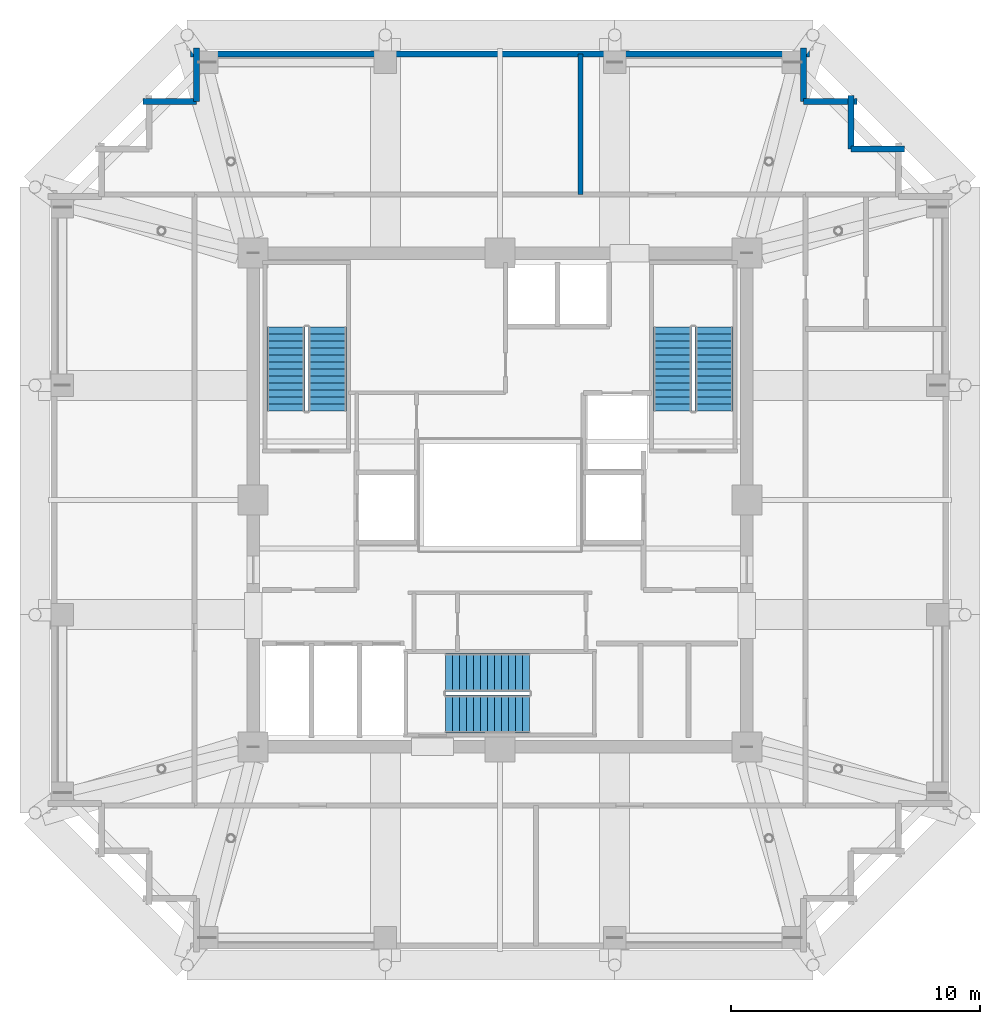
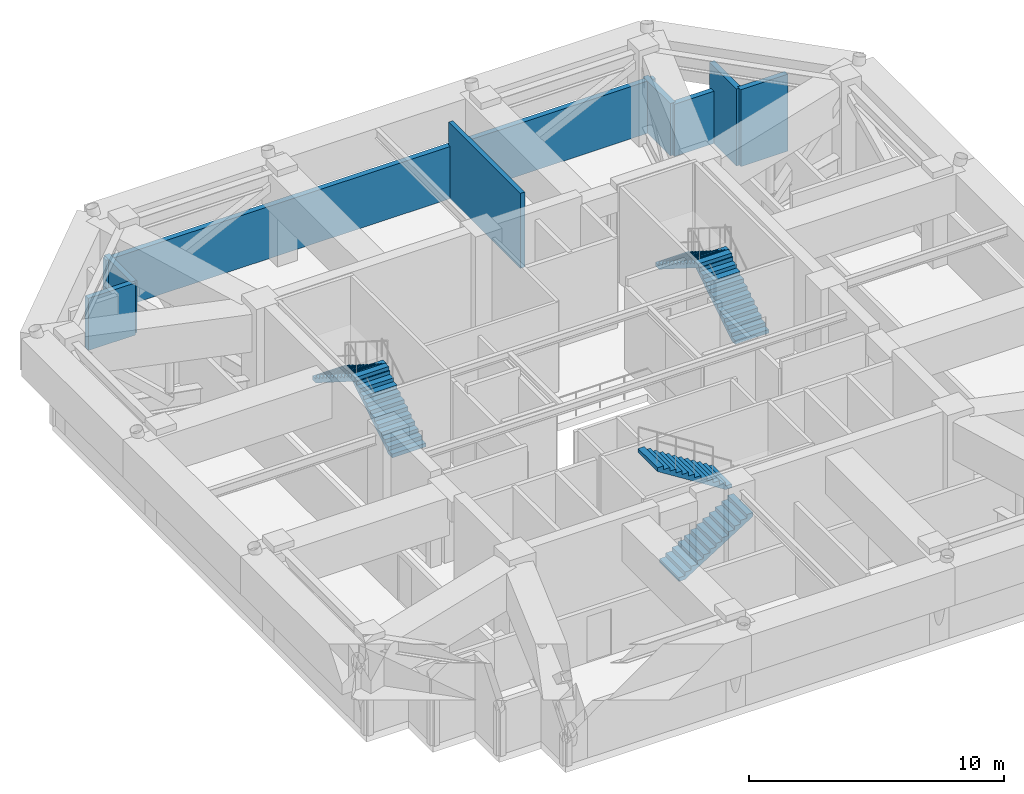
# One storey, part 11 of 12: 8 walls, 6 stair flights, 3 elements without a shape of their own.
"""IFC4 building model written with IfcOpenShell, lengths in metres."""

from ifc_helpers import new_model, si_unit, direction, frame, frame_2d, origin, place, context, subcontext, project, spatial, polyline, rectangle, outline, extrude, material, layer, layer_set, type_object, element, aggregate, save


model = new_model("IFC4")

# Units and contexts
model_context = context("Model", 3, precision=1e-05, world=origin(), true_north=direction((0.0, 1.0)))
body_context = subcontext(model_context, "Body", "Model", "MODEL_VIEW")
ifc_project = project(units=[si_unit("LENGTHUNIT", "METRE"), si_unit("AREAUNIT", "SQUARE_METRE"), si_unit("VOLUMEUNIT", "CUBIC_METRE"), si_unit("PLANEANGLEUNIT", "RADIAN"), si_unit("MASSUNIT", "GRAM", prefix="KILO")], contexts=[model_context])

# Site, building, storey
site_placement = place(None, origin())
site = spatial("IfcSite", under=ifc_project, at=site_placement, CompositionType="ELEMENT")
building_placement = place(site_placement, origin())
building = spatial("IfcBuilding", under=site, at=building_placement, Name="Kolvaren Belvedere", CompositionType="ELEMENT")
storey_placement = place(building_placement, frame((0.0, 0.0, 148.10009765625)))
storey = spatial("IfcBuildingStorey", under=building, at=storey_placement, Name="L43", CompositionType="ELEMENT", Elevation=148.10009765625)

# Walls
ifc_material_1 = material(Name="Insulated acoustic pale-metal louvre wall", Category="aluminium")
ifc_layer_1 = layer(ifc_material_1, 0.239990234375)
ifc_layer_set_1 = layer_set([ifc_layer_1], Name="Insulated acoustic pale-metal louvre wall")
wall_type_1 = type_object("IfcWallType", Name="WL-LOUV-240", PredefinedType="STANDARD", material=ifc_layer_set_1)
for number, where, z_axis, x_axis, name in (
    (1, (14.080078125, 14.080078125, 0.0), (0.0, 0.0, 1.0), (1.0, 0.0, 0.0), "L43 Acoustic Louvre Facade Wall 11"),
    (2, (14.080078125, 16.219970703125, 0.0), (0.0, 0.0, 1.0), (0.0, -1.0, 0.0), "L43 Acoustic Louvre Facade Wall 12"),
):
    element("IfcWall", number, at=place(storey_placement, frame(where, z_axis=z_axis, x_axis=x_axis)), inside=storey, type_object=wall_type_1, Name=name, PredefinedType="STANDARD", context=body_context, shape_type="SweptSolid", body=[
        extrude(rectangle(XDim=2.139892578125, YDim=0.239990234375, at=frame_2d((1.06982421875, 0.0))), origin(), (0.0, 0.0, 1.0), 3.678955078125),
    ])
for number, where, z_axis, x_axis, name in (
    (3, (12.179931640625, 15.97998046875, 0.0), (0.0, 0.0, 1.0), (1.0, 0.0, 0.0), "L43 Acoustic Louvre Facade Wall 13"),
    (4, (12.179931640625, 18.1201171875, 0.0), (0.0, 0.0, 1.0), (0.0, -1.0, 0.0), "L43 Acoustic Louvre Facade Wall 14"),
):
    element("IfcWall", number, at=place(storey_placement, frame(where, z_axis=z_axis, x_axis=x_axis)), inside=storey, type_object=wall_type_1, Name=name, PredefinedType="STANDARD", context=body_context, shape_type="SweptSolid", body=[
        extrude(rectangle(XDim=2.14013671875, YDim=0.239990234375, at=frame_2d((1.070068359375, 0.0))), origin(), (0.0, 0.0, 1.0), 2.494873046875),
    ])
wall_1_placement = place(storey_placement, frame((-12.419921875, 17.8798828125, 0.0), z_axis=(0.0, 0.0, 1.0), x_axis=(1.0, 0.0, 0.0)))
element("IfcWall", 5, at=wall_1_placement, inside=storey, type_object=wall_type_1, Name="L43 Acoustic Louvre Facade Wall 15", PredefinedType="STANDARD", context=body_context, shape_type="SweptSolid", body=[
    extrude(rectangle(XDim=24.83984375, YDim=0.239990234375, at=frame_2d((12.419921875, 0.0))), origin(), (0.0, 0.0, 1.0), 2.494873046875),
])
for number, where, z_axis, x_axis, name in (
    (6, (-12.179931640625, 15.97998046875, 0.0), (0.0, 0.0, 1.0), (0.0, 1.0, 0.0), "L43 Acoustic Louvre Facade Wall 16"),
    (7, (-14.320068359375, 15.97998046875, 0.0), (0.0, 0.0, 1.0), (1.0, 0.0, 0.0), "L43 Acoustic Louvre Facade Wall 17"),
):
    element("IfcWall", number, at=place(storey_placement, frame(where, z_axis=z_axis, x_axis=x_axis)), inside=storey, type_object=wall_type_1, Name=name, PredefinedType="STANDARD", context=body_context, shape_type="SweptSolid", body=[
        extrude(rectangle(XDim=2.14013671875, YDim=0.239990234375, at=frame_2d((1.070068359375, 0.0))), origin(), (0.0, 0.0, 1.0), 2.494873046875),
    ])
ifc_material_2 = material(Name="Concrete C50/60", Category="concrete")
ifc_layer_2 = layer(ifc_material_2, 0.199951171875)
ifc_layer_set_2 = layer_set([ifc_layer_2], Name="Concrete C50/60")
wall_type_2 = type_object("IfcWallType", Name="WL-SHAFT-200", PredefinedType="SOLIDWALL", material=ifc_layer_set_2)
wall_2_placement = place(storey_placement, frame((3.235107421875, 12.260009765625, 0.0), z_axis=(0.0, 0.0, 1.0), x_axis=(0.0, 1.0, 0.0)))
element("IfcWall", 8, at=wall_2_placement, inside=storey, type_object=wall_type_2, Name="L43 North Plant Wall", PredefinedType="SOLIDWALL", context=body_context, shape_type="SweptSolid", body=[
    extrude(rectangle(XDim=5.619873046875, YDim=0.199951171875, at=frame_2d((2.81005859375, 0.0))), origin(), (0.0, 0.0, 1.0), 3.5888671875),
])

# Stair, stair flights
ifc_material_3 = material(Name="Concrete C50/60", Category="concrete")
stair_type = type_object("IfcStairType", Name="ST-CORE-1520", PredefinedType="HALF_TURN_STAIR", material=ifc_material_3)
stair_1_placement = place(storey_placement, origin())
stair_1 = element("IfcStair", 9, at=stair_1_placement, inside=storey, type_object=stair_type, Name="L43 Protected Exit Stair ST-1", PredefinedType="HALF_TURN_STAIR")
ifc_material_4 = material(Name="Concrete C50/60", Category="concrete")
stair_flight_type = type_object("IfcStairFlightType", Name="SF-STR-1520", PredefinedType="STRAIGHT", material=ifc_material_4)
stair_flight_1_placement = place(storey_placement, frame((-6.919921875, 3.570068359375, 0.0), z_axis=(0.0, 0.0, 1.0), x_axis=(0.0, 1.0, 0.0)))
stair_flight_1 = element("IfcStairFlight", 10, at=stair_flight_1_placement, type_object=stair_flight_type, Name="ST-1 flight 1", NumberOfRisers=13, NumberOfTreads=12, PredefinedType="STRAIGHT", RiserHeight=0.176923077, TreadLength=0.28, context=body_context, shape_type="SweptSolid", body=[
    extrude(outline(polyline([(0.0, 0.0), (0.0, 0.177001953125), (0.280029296875, 0.177001953125), (0.280029296875, 0.353759765625), (0.56005859375, 0.353759765625), (0.56005859375, 0.53076171875), (0.840087890625, 0.53076171875), (0.840087890625, 0.707763671875), (1.1201171875, 0.707763671875), (1.1201171875, 0.884521484375), (1.39990234375, 0.884521484375), (1.39990234375, 1.0615234375), (1.679931640625, 1.0615234375), (1.679931640625, 1.238525390625), (1.9599609375, 1.238525390625), (1.9599609375, 1.415283203125), (2.239990234375, 1.415283203125), (2.239990234375, 1.59228515625), (2.52001953125, 1.59228515625), (2.52001953125, 1.769287109375), (2.800048828125, 1.769287109375), (2.800048828125, 1.946044921875), (3.080078125, 1.946044921875), (3.080078125, 2.123046875), (3.360107421875, 2.123046875), (3.360107421875, 2.300048828125), (3.360107421875, 1.94580078125), (0.280517578125, 0.0), (0.0, 0.0)])), frame((0.0, 0.760009765625, 0.0), z_axis=(0.0, -1.0, 0.0), x_axis=(1.0, 0.0, 0.0)), (0.0, 0.0, 1.0), 1.52001953125),
])
stair_flight_2_placement = place(storey_placement, frame((-8.590087890625, 6.929931640625, 2.2998046875), z_axis=(0.0, 0.0, 1.0), x_axis=(0.0, -1.0, 0.0)))
stair_flight_2 = element("IfcStairFlight", 11, at=stair_flight_2_placement, type_object=stair_flight_type, Name="ST-1 flight 2", NumberOfRisers=13, NumberOfTreads=12, PredefinedType="STRAIGHT", RiserHeight=0.176923077, TreadLength=0.28, context=body_context, shape_type="SweptSolid", body=[
    extrude(outline(polyline([(0.0, 0.0), (0.0, 0.177001953125), (0.280029296875, 0.177001953125), (0.280029296875, 0.353759765625), (0.56005859375, 0.353759765625), (0.56005859375, 0.53076171875), (0.840087890625, 0.53076171875), (0.840087890625, 0.707763671875), (1.1201171875, 0.707763671875), (1.1201171875, 0.884521484375), (1.39990234375, 0.884521484375), (1.39990234375, 1.0615234375), (1.679931640625, 1.0615234375), (1.679931640625, 1.238525390625), (1.9599609375, 1.238525390625), (1.9599609375, 1.415283203125), (2.239990234375, 1.415283203125), (2.239990234375, 1.59228515625), (2.52001953125, 1.59228515625), (2.52001953125, 1.769287109375), (2.800048828125, 1.769287109375), (2.800048828125, 1.946044921875), (3.080078125, 1.946044921875), (3.080078125, 2.123046875), (3.360107421875, 2.123046875), (3.360107421875, 2.300048828125), (3.360107421875, 1.94580078125), (0.280517578125, 0.0), (0.0, 0.0)])), frame((0.0, 0.760009765625, 0.0), z_axis=(0.0, -1.0, 0.0), x_axis=(1.0, 0.0, 0.0)), (0.0, 0.0, 1.0), 1.52001953125),
])
aggregate(stair_1, [stair_flight_1, stair_flight_2])

stair_2_placement = place(storey_placement, origin())
stair_2 = element("IfcStair", 12, at=stair_2_placement, inside=storey, type_object=stair_type, Name="L43 Protected Exit Stair ST-2", PredefinedType="HALF_TURN_STAIR")
stair_flight_3_placement = place(storey_placement, frame((8.590087890625, 3.570068359375, 0.0), z_axis=(0.0, 0.0, 1.0), x_axis=(0.0, 1.0, 0.0)))
stair_flight_3 = element("IfcStairFlight", 13, at=stair_flight_3_placement, type_object=stair_flight_type, Name="ST-2 flight 1", NumberOfRisers=13, NumberOfTreads=12, PredefinedType="STRAIGHT", RiserHeight=0.176923077, TreadLength=0.28, context=body_context, shape_type="SweptSolid", body=[
    extrude(outline(polyline([(0.0, 0.0), (0.0, 0.177001953125), (0.280029296875, 0.177001953125), (0.280029296875, 0.353759765625), (0.56005859375, 0.353759765625), (0.56005859375, 0.53076171875), (0.840087890625, 0.53076171875), (0.840087890625, 0.707763671875), (1.1201171875, 0.707763671875), (1.1201171875, 0.884521484375), (1.39990234375, 0.884521484375), (1.39990234375, 1.0615234375), (1.679931640625, 1.0615234375), (1.679931640625, 1.238525390625), (1.9599609375, 1.238525390625), (1.9599609375, 1.415283203125), (2.239990234375, 1.415283203125), (2.239990234375, 1.59228515625), (2.52001953125, 1.59228515625), (2.52001953125, 1.769287109375), (2.800048828125, 1.769287109375), (2.800048828125, 1.946044921875), (3.080078125, 1.946044921875), (3.080078125, 2.123046875), (3.360107421875, 2.123046875), (3.360107421875, 2.300048828125), (3.360107421875, 1.94580078125), (0.280517578125, 0.0), (0.0, 0.0)])), frame((0.0, 0.760009765625, 0.0), z_axis=(0.0, -1.0, 0.0), x_axis=(1.0, 0.0, 0.0)), (0.0, 0.0, 1.0), 1.52001953125),
])
stair_flight_4_placement = place(storey_placement, frame((6.919921875, 6.929931640625, 2.2998046875), z_axis=(0.0, 0.0, 1.0), x_axis=(0.0, -1.0, 0.0)))
stair_flight_4 = element("IfcStairFlight", 14, at=stair_flight_4_placement, type_object=stair_flight_type, Name="ST-2 flight 2", NumberOfRisers=13, NumberOfTreads=12, PredefinedType="STRAIGHT", RiserHeight=0.176923077, TreadLength=0.28, context=body_context, shape_type="SweptSolid", body=[
    extrude(outline(polyline([(0.0, 0.0), (0.0, 0.177001953125), (0.280029296875, 0.177001953125), (0.280029296875, 0.353759765625), (0.56005859375, 0.353759765625), (0.56005859375, 0.53076171875), (0.840087890625, 0.53076171875), (0.840087890625, 0.707763671875), (1.1201171875, 0.707763671875), (1.1201171875, 0.884521484375), (1.39990234375, 0.884521484375), (1.39990234375, 1.0615234375), (1.679931640625, 1.0615234375), (1.679931640625, 1.238525390625), (1.9599609375, 1.238525390625), (1.9599609375, 1.415283203125), (2.239990234375, 1.415283203125), (2.239990234375, 1.59228515625), (2.52001953125, 1.59228515625), (2.52001953125, 1.769287109375), (2.800048828125, 1.769287109375), (2.800048828125, 1.946044921875), (3.080078125, 1.946044921875), (3.080078125, 2.123046875), (3.360107421875, 2.123046875), (3.360107421875, 2.300048828125), (3.360107421875, 1.94580078125), (0.280517578125, 0.0), (0.0, 0.0)])), frame((0.0, 0.760009765625, 0.0), z_axis=(0.0, -1.0, 0.0), x_axis=(1.0, 0.0, 0.0)), (0.0, 0.0, 1.0), 1.52001953125),
])
aggregate(stair_2, [stair_flight_3, stair_flight_4])

stair_3_placement = place(storey_placement, origin())
stair_3 = element("IfcStair", 15, at=stair_3_placement, inside=storey, type_object=stair_type, Name="L43 Protected Exit Stair ST-3", PredefinedType="HALF_TURN_STAIR")
stair_flight_5_placement = place(storey_placement, frame((-2.179931640625, -8.590087890625, 0.0), z_axis=(0.0, 0.0, 1.0), x_axis=(1.0, 0.0, 0.0)))
stair_flight_5 = element("IfcStairFlight", 16, at=stair_flight_5_placement, type_object=stair_flight_type, Name="ST-3 flight 1", NumberOfRisers=13, NumberOfTreads=12, PredefinedType="STRAIGHT", RiserHeight=0.176923077, TreadLength=0.28, context=body_context, shape_type="SweptSolid", body=[
    extrude(outline(polyline([(0.0, 0.0), (0.0, 0.177001953125), (0.280029296875, 0.177001953125), (0.280029296875, 0.353759765625), (0.56005859375, 0.353759765625), (0.56005859375, 0.53076171875), (0.840087890625, 0.53076171875), (0.840087890625, 0.707763671875), (1.1201171875, 0.707763671875), (1.1201171875, 0.884521484375), (1.39990234375, 0.884521484375), (1.39990234375, 1.0615234375), (1.679931640625, 1.0615234375), (1.679931640625, 1.238525390625), (1.9599609375, 1.238525390625), (1.9599609375, 1.415283203125), (2.239990234375, 1.415283203125), (2.239990234375, 1.59228515625), (2.52001953125, 1.59228515625), (2.52001953125, 1.769287109375), (2.800048828125, 1.769287109375), (2.800048828125, 1.946044921875), (3.080078125, 1.946044921875), (3.080078125, 2.123046875), (3.360107421875, 2.123046875), (3.360107421875, 2.300048828125), (3.360107421875, 1.94580078125), (0.280517578125, 0.0), (0.0, 0.0)])), frame((0.0, 0.760009765625, 0.0), z_axis=(0.0, -1.0, 0.0), x_axis=(1.0, 0.0, 0.0)), (0.0, 0.0, 1.0), 1.52001953125),
])
stair_flight_6_placement = place(storey_placement, frame((1.179931640625, -6.919921875, 2.2998046875), z_axis=(0.0, 0.0, 1.0), x_axis=(-1.0, 0.0, 0.0)))
stair_flight_6 = element("IfcStairFlight", 17, at=stair_flight_6_placement, type_object=stair_flight_type, Name="ST-3 flight 2", NumberOfRisers=13, NumberOfTreads=12, PredefinedType="STRAIGHT", RiserHeight=0.176923077, TreadLength=0.28, context=body_context, shape_type="SweptSolid", body=[
    extrude(outline(polyline([(0.0, 0.0), (0.0, 0.177001953125), (0.280029296875, 0.177001953125), (0.280029296875, 0.353759765625), (0.56005859375, 0.353759765625), (0.56005859375, 0.53076171875), (0.840087890625, 0.53076171875), (0.840087890625, 0.707763671875), (1.1201171875, 0.707763671875), (1.1201171875, 0.884521484375), (1.39990234375, 0.884521484375), (1.39990234375, 1.0615234375), (1.679931640625, 1.0615234375), (1.679931640625, 1.238525390625), (1.9599609375, 1.238525390625), (1.9599609375, 1.415283203125), (2.239990234375, 1.415283203125), (2.239990234375, 1.59228515625), (2.52001953125, 1.59228515625), (2.52001953125, 1.769287109375), (2.800048828125, 1.769287109375), (2.800048828125, 1.946044921875), (3.080078125, 1.946044921875), (3.080078125, 2.123046875), (3.360107421875, 2.123046875), (3.360107421875, 2.300048828125), (3.360107421875, 1.94580078125), (0.280517578125, 0.0), (0.0, 0.0)])), frame((0.0, 0.760009765625, 0.0), z_axis=(0.0, -1.0, 0.0), x_axis=(1.0, 0.0, 0.0)), (0.0, 0.0, 1.0), 1.52001953125),
])
aggregate(stair_3, [stair_flight_5, stair_flight_6])

save(model, "model.ifc")
